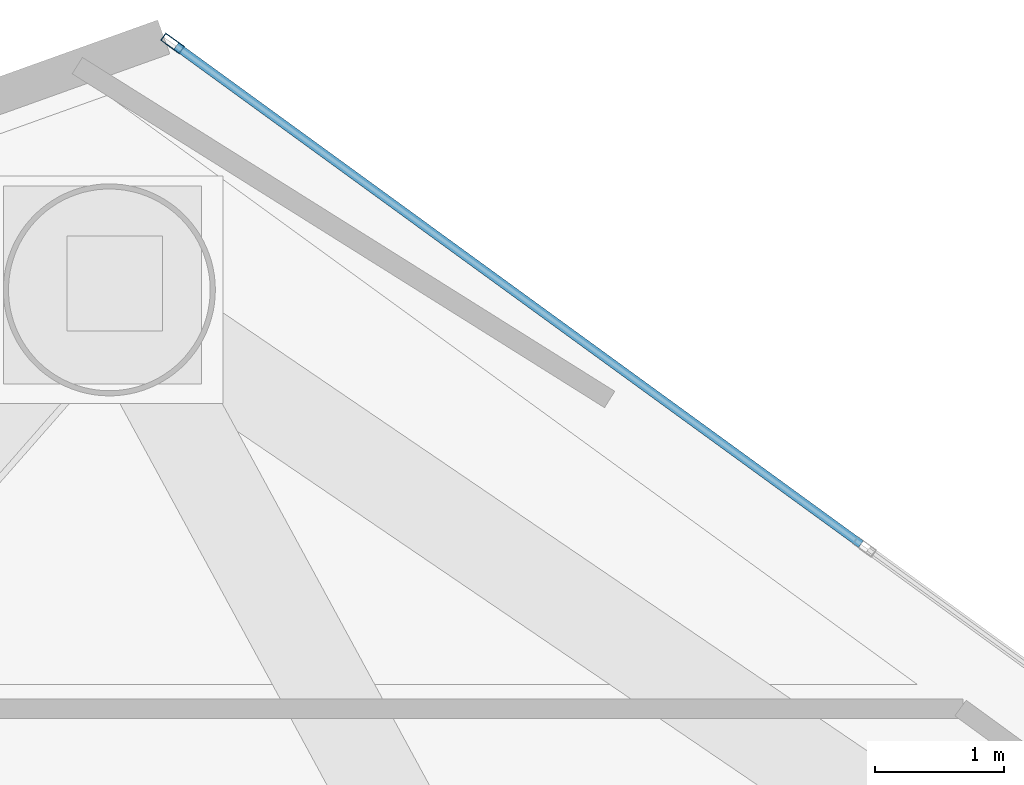
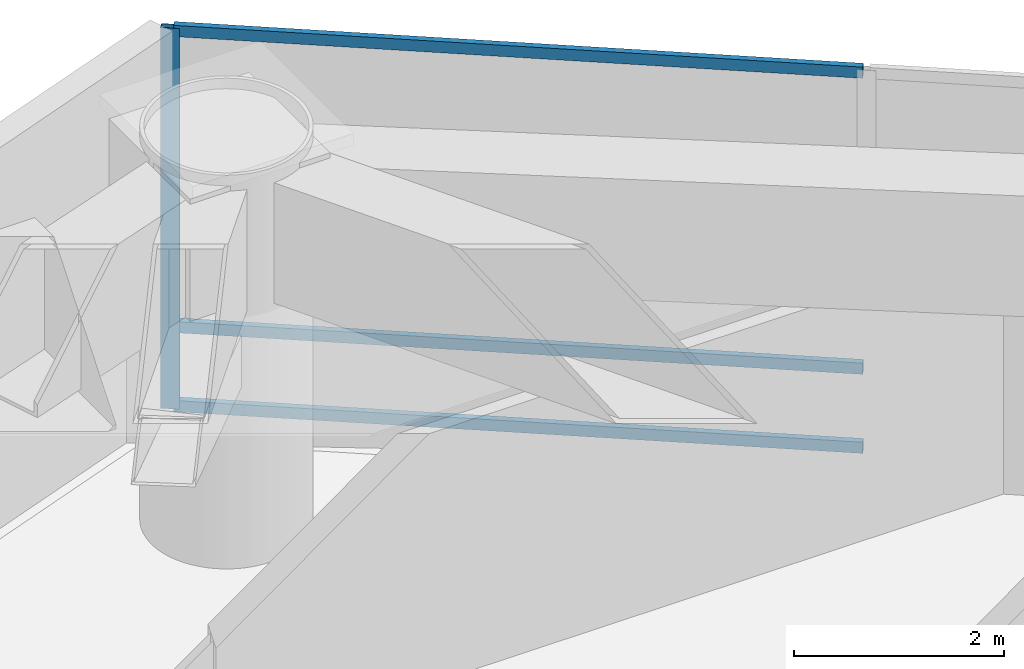
# One storey, part 15 of 22: 4 members, 1 element without a shape of its own.
"""IFC4 building model written with IfcOpenShell, lengths in metres."""

import ifcopenshell
import ifcopenshell.guid

model = None  # the IFC model being written
_history = None  # IfcOwnerHistory: only IFC2X3 demands one
_inside = {}  # id of a spatial element -> (the spatial element, [elements in it])
_under = {}  # id of a project, library or spatial element -> (it, [spatial elements below it])
_declared = {}  # id of a project -> (the project, [libraries it declares])
_typed = {}  # id of a type object -> (the type object, [elements of that type])
_made_of = {}  # id of a material, layer set ... -> (it, [elements and type objects made of it])


def new_model(schema):
    """Start an empty IFC model of exactly this schema.

    Asked for "IFC4X3", IfcOpenShell would pick the latest addendum, in which some entities
    have other attributes; the version numbers below select the first issue.
    IFC2X3 requires an IfcOwnerHistory on every rooted entity: one is made here for all.
    """
    global model, _history
    if schema == "IFC4X3":
        model = ifcopenshell.file(schema_version=(4, 3, 0, 0))
    else:
        model = ifcopenshell.file(schema=schema)
    _inside.clear()
    _under.clear()
    _declared.clear()
    _typed.clear()
    _made_of.clear()
    _history = None
    if model.schema == "IFC2X3":
        org = make("IfcOrganization", Name="unknown")
        user = make(
            "IfcPersonAndOrganization",
            ThePerson=make("IfcPerson", FamilyName="unknown"),
            TheOrganization=org,
        )
        app = make(
            "IfcApplication",
            ApplicationDeveloper=org,
            Version="unknown",
            ApplicationFullName="unknown",
            ApplicationIdentifier="unknown",
        )
        _history = make(
            "IfcOwnerHistory",
            OwningUser=user,
            OwningApplication=app,
            ChangeAction="ADDED",
            CreationDate=0,
        )
    return model


def make(cls, **values):
    """One entity of the class cls with the attributes given. An attribute that is None is left unset."""
    return model.create_entity(
        cls, **{name: value for name, value in values.items() if value is not None}
    )


def rooted(cls, **values):
    """An entity with a GlobalId (a new one), such as an element, a storey or a relation."""
    return make(cls, GlobalId=ifcopenshell.guid.new(), OwnerHistory=_history, **values)


def si_unit(unit_type, name, prefix=None):
    """IfcSIUnit, for example si_unit("LENGTHUNIT", "METRE", prefix="MILLI")."""
    return make("IfcSIUnit", UnitType=unit_type, Prefix=prefix, Name=name)


def assignment(units):
    """IfcUnitAssignment: the units of a project."""
    return None if units is None else make("IfcUnitAssignment", Units=units)


def point(xyz):
    """IfcCartesianPoint."""
    return None if xyz is None else make("IfcCartesianPoint", Coordinates=xyz)


def direction(xyz):
    """IfcDirection."""
    return None if xyz is None else make("IfcDirection", DirectionRatios=xyz)


def frame(location, z_axis=None, x_axis=None):
    """IfcAxis2Placement3D, a coordinate frame: its origin and axes. An axis left out is left unset."""
    return make(
        "IfcAxis2Placement3D",
        Location=point(location),
        Axis=direction(z_axis),
        RefDirection=direction(x_axis),
    )


def frame_2d(location, x_axis=None):
    """IfcAxis2Placement2D, a coordinate frame in the plane: its origin and x axis."""
    return make(
        "IfcAxis2Placement2D", Location=point(location), RefDirection=direction(x_axis)
    )


def origin():
    """The frame at (0, 0, 0) with its axes left unset."""
    return frame((0.0, 0.0, 0.0))


def origin_2d():
    """The frame at (0, 0) in the plane with its x axis left unset."""
    return frame_2d((0.0, 0.0))


def place(relative_to, where):
    """IfcLocalPlacement: puts the frame where relative to a parent placement (None: the world)."""
    return make(
        "IfcLocalPlacement", PlacementRelTo=relative_to, RelativePlacement=where
    )


def context(
    kind, dimensions, precision=None, world=None, true_north=None, identifier=None
):
    """IfcGeometricRepresentationContext, for example the 3D "Model" context."""
    return make(
        "IfcGeometricRepresentationContext",
        ContextIdentifier=identifier,
        ContextType=kind,
        CoordinateSpaceDimension=dimensions,
        Precision=precision,
        WorldCoordinateSystem=world,
        TrueNorth=true_north,
    )


def subcontext(parent, identifier, kind, view, scale=None):
    """IfcGeometricRepresentationSubContext, for example "Body" below "Model"."""
    return make(
        "IfcGeometricRepresentationSubContext",
        ContextIdentifier=identifier,
        ContextType=kind,
        ParentContext=parent,
        TargetScale=scale,
        TargetView=view,
    )


def project(units=None, contexts=None):
    """IfcProject with its units and contexts."""
    return rooted(
        "IfcProject",
        Name="project",
        RepresentationContexts=contexts,
        UnitsInContext=assignment(units),
    )


def spatial(cls, under=None, at=None, **own):
    """A site, building, storey or space (cls), placed at a placement, below another one or the project."""
    s = rooted(cls, ObjectPlacement=at, **own)
    if under is not None:
        _under.setdefault(under.id(), (under, []))[1].append(s)
    return s


def profile(cls, at=None, kind="AREA", **sizes):
    """A parametric profile (cls). Its sizes go by their IFC names, for example OverallWidth=200.0."""
    return make(cls, ProfileType=kind, Position=at, **sizes)


def hollow_rectangle(**sizes):
    """IfcRectangleHollowProfileDef."""
    return profile("IfcRectangleHollowProfileDef", **sizes)


def extrude(swept, where, along, depth):
    """IfcExtrudedAreaSolid: the profile swept, set in the frame where, extruded along a direction by depth."""
    return make(
        "IfcExtrudedAreaSolid",
        SweptArea=swept,
        Position=where,
        ExtrudedDirection=direction(along),
        Depth=depth,
    )


def shape(context_of_items, identifier, shape_type, items):
    """IfcShapeRepresentation: the items that make up one representation, for example the "Body"."""
    return make(
        "IfcShapeRepresentation",
        ContextOfItems=context_of_items,
        RepresentationIdentifier=identifier,
        RepresentationType=shape_type,
        Items=items,
    )


def material(Name=None, Category=None):
    """IfcMaterial."""
    return make("IfcMaterial", Name=Name, Category=Category)


def layer(
    of_material, thickness, ventilated=None, Name=None, Category=None, Priority=None
):
    """IfcMaterialLayer: one layer of a wall or slab, of a material (None: an air gap)."""
    return make(
        "IfcMaterialLayer",
        Material=of_material,
        LayerThickness=thickness,
        IsVentilated=ventilated,
        Name=Name,
        Category=Category,
        Priority=Priority,
    )


def layer_set(layers, Name=None):
    """IfcMaterialLayerSet."""
    return make("IfcMaterialLayerSet", MaterialLayers=layers, LayerSetName=Name)


def material_profile(
    of_material, cross_section, Name=None, Category=None, Priority=None
):
    """IfcMaterialProfile: a cross section and its material."""
    return make(
        "IfcMaterialProfile",
        Name=Name,
        Material=of_material,
        Profile=cross_section,
        Priority=Priority,
        Category=Category,
    )


def profile_set(profiles, Name=None, composite=None):
    """IfcMaterialProfileSet."""
    return make(
        "IfcMaterialProfileSet",
        Name=Name,
        MaterialProfiles=profiles,
        CompositeProfile=composite,
    )


def made_of(thing, what):
    """Note that an element or type object is made of a material, layer set ...; save() writes the relation."""
    if what is not None:
        _made_of.setdefault(what.id(), (what, []))[1].append(thing)
    return thing


def type_object(cls, material=None, **own):
    """A type object (cls), such as IfcWallType, which elements share."""
    return made_of(rooted(cls, **own), material)


def element(
    cls,
    number,
    at=None,
    inside=None,
    cuts=None,
    type_object=None,
    material=None,
    context=None,
    identifier="Body",
    shape_type=None,
    held_by="IfcProductDefinitionShape",
    body=None,
    shapes=None,
    **own,
):
    """One element of the class cls, such as IfcWall. Its Tag is "e" and its number.

    at: its placement. inside: the storey or other place that contains it. cuts: it is an
    opening in that element (IfcRelVoidsElement). A single representation is given by context,
    identifier, shape_type and body (its items); several are given by shapes. held_by: the class
    of the entity that holds the representations. save() writes the other relations.
    """
    e = rooted(cls, Tag="e%d" % number, ObjectPlacement=at, **own)
    if body is not None:
        shapes = [shape(context, identifier, shape_type, body)]
    if shapes is not None:
        e.Representation = make(held_by, Representations=shapes)
    if inside is not None:
        _inside.setdefault(inside.id(), (inside, []))[1].append(e)
    if cuts is not None:
        rooted(
            "IfcRelVoidsElement", RelatingBuildingElement=cuts, RelatedOpeningElement=e
        )
    if type_object is not None:
        _typed.setdefault(type_object.id(), (type_object, []))[1].append(e)
    return made_of(e, material)


def aggregate(whole, parts):
    """IfcRelAggregates: a whole, such as a stair, and the parts it consists of."""
    return rooted("IfcRelAggregates", RelatingObject=whole, RelatedObjects=parts)


def save(model, path):
    """Write the relations noted so far, then the file.

    IfcRelAggregates (storeys below a building ...), IfcRelContainedInSpatialStructure (elements
    in a storey), IfcRelDefinesByType, IfcRelAssociatesMaterial and IfcRelDeclares: one each for
    every whole, place, type object, material and project.
    """
    for whole, parts in _under.values():
        aggregate(whole, parts)
    for where, things in _inside.values():
        rooted(
            "IfcRelContainedInSpatialStructure",
            RelatedElements=things,
            RelatingStructure=where,
        )
    for kind, things in _typed.values():
        rooted("IfcRelDefinesByType", RelatedObjects=things, RelatingType=kind)
    for what, things in _made_of.values():
        rooted("IfcRelAssociatesMaterial", RelatedObjects=things, RelatingMaterial=what)
    for by, libraries in _declared.values():
        rooted("IfcRelDeclares", RelatingContext=by, RelatedDefinitions=libraries)
    model.write(path)


model = new_model("IFC4")

# Units and contexts
model_context = context("Model", 3, precision=1e-05, world=origin(), true_north=direction((0.0, 1.0)))
body_context = subcontext(model_context, "Body", "Model", "MODEL_VIEW")
ifc_project = project(units=[si_unit("LENGTHUNIT", "METRE"), si_unit("AREAUNIT", "SQUARE_METRE"), si_unit("VOLUMEUNIT", "CUBIC_METRE"), si_unit("PLANEANGLEUNIT", "RADIAN"), si_unit("MASSUNIT", "GRAM", prefix="KILO")], contexts=[model_context])

# Site, building, storey
site_placement = place(None, origin())
site = spatial("IfcSite", under=ifc_project, at=site_placement, CompositionType="ELEMENT")
building_placement = place(site_placement, origin())
building = spatial("IfcBuilding", under=site, at=building_placement, Name="Qianvela Tower", CompositionType="ELEMENT")
storey_placement = place(building_placement, frame((0.0, 0.0, 93.199951171875)))
storey = spatial("IfcBuildingStorey", under=building, at=storey_placement, Name="L23", CompositionType="ELEMENT", Elevation=93.199951171875)

# Curtain wall, members
ifc_material_1 = material(Name="Anodised Architectural Aluminium and Low-E Glass", Category="aluminium")
ifc_layer = layer(ifc_material_1, 0.179931640625)
ifc_layer_set = layer_set([ifc_layer], Name="Anodised Architectural Aluminium and Low-E Glass")
curtain_wall_type = type_object("IfcCurtainWallType", Name="CW-COLIV-Z12", PredefinedType="USERDEFINED", material=ifc_layer_set)
curtain_wall_placement = place(storey_placement, origin())
curtain_wall = element("IfcCurtainWall", 1, at=curtain_wall_placement, inside=storey, type_object=curtain_wall_type, Name="L23 CW-COLIV-Z12 Curtain Wall 02C", ObjectType="CURTAIN_WALL_SYSTEM", PredefinedType="USERDEFINED")
ifc_material_2 = material(Name="Anodised Architectural Aluminium 6063-T6", Category="aluminium")
ifc_material_profile_1 = material_profile(ifc_material_2, hollow_rectangle(XDim=0.070068359375, YDim=0.179931640625, WallThickness=0.0048828125, at=origin_2d()), Name="ALU-MULL-70x180")
ifc_profile_set_1 = profile_set([ifc_material_profile_1], Name="Anodised Architectural Aluminium 6063-T6")
member_type_1 = type_object("IfcMemberType", Name="CW-COLIV-Z12-MULL", PredefinedType="MULLION", material=ifc_profile_set_1)
member_1_placement = place(storey_placement, frame((34.017822265625, 44.447265625, 0.0), z_axis=(0.0, 0.0, 1.0), x_axis=(-0.588249855866, -0.808679236208, 0.0)))
member_1 = element("IfcMember", 2, at=member_1_placement, type_object=member_type_1, Name="CW-3 mullion 3", PredefinedType="MULLION", context=body_context, shape_type="SweptSolid", body=[
    extrude(hollow_rectangle(XDim=0.070068359375, YDim=0.179931640625, WallThickness=0.0048828125, at=origin_2d()), origin(), (0.0, 0.0, 1.0), 4.420166015625),
])
ifc_material_3 = material(Name="Anodised Architectural Aluminium 6063-T6", Category="aluminium")
ifc_material_profile_2 = material_profile(ifc_material_3, hollow_rectangle(XDim=0.06494140625, YDim=0.1298828125, WallThickness=0.00439453125, at=origin_2d()), Name="ALU-TRAN-65x130")
ifc_profile_set_2 = profile_set([ifc_material_profile_2], Name="Anodised Architectural Aluminium 6063-T6")
member_type_2 = type_object("IfcMemberType", Name="CW-COLIV-Z12-TRAN", PredefinedType="USERDEFINED", material=ifc_profile_set_2)
member_2_placement = place(storey_placement, frame((39.374755859375, 40.550537109375, 0.032470703125), z_axis=(-0.808686414634, 0.588239987408, 0.0), x_axis=(-0.588239987408, -0.808686414634, 0.0)))
member_2 = element("IfcMember", 3, at=member_2_placement, type_object=member_type_2, Name="CW-3 transom 2.1", ObjectType="TRANSOM", PredefinedType="USERDEFINED", context=body_context, shape_type="SweptSolid", body=[
    extrude(hollow_rectangle(XDim=0.06494140625, YDim=0.1298828125, WallThickness=0.00439453125, at=origin_2d()), origin(), (0.0, 0.0, 1.0), 6.589599609375),
])
member_3_placement = place(storey_placement, frame((39.374755859375, 40.550537109375, 0.949951171875), z_axis=(-0.808686414634, 0.588239987408, 0.0), x_axis=(-0.588239987408, -0.808686414634, 0.0)))
member_3 = element("IfcMember", 4, at=member_3_placement, type_object=member_type_2, Name="CW-3 transom 2.2", ObjectType="TRANSOM", PredefinedType="USERDEFINED", context=body_context, shape_type="SweptSolid", body=[
    extrude(hollow_rectangle(XDim=0.06494140625, YDim=0.1298828125, WallThickness=0.00439453125, at=origin_2d()), origin(), (0.0, 0.0, 1.0), 6.589599609375),
])
member_4_placement = place(storey_placement, frame((39.374755859375, 40.550537109375, 4.387451171875), z_axis=(-0.808686414634, 0.588239987408, 0.0), x_axis=(-0.588239987408, -0.808686414634, 0.0)))
member_4 = element("IfcMember", 5, at=member_4_placement, type_object=member_type_2, Name="CW-3 transom 2.3", ObjectType="TRANSOM", PredefinedType="USERDEFINED", context=body_context, shape_type="SweptSolid", body=[
    extrude(hollow_rectangle(XDim=0.06494140625, YDim=0.1298828125, WallThickness=0.00439453125, at=origin_2d()), origin(), (0.0, 0.0, 1.0), 6.589599609375),
])
aggregate(curtain_wall, [member_1, member_2, member_3, member_4])

save(model, "model.ifc")
